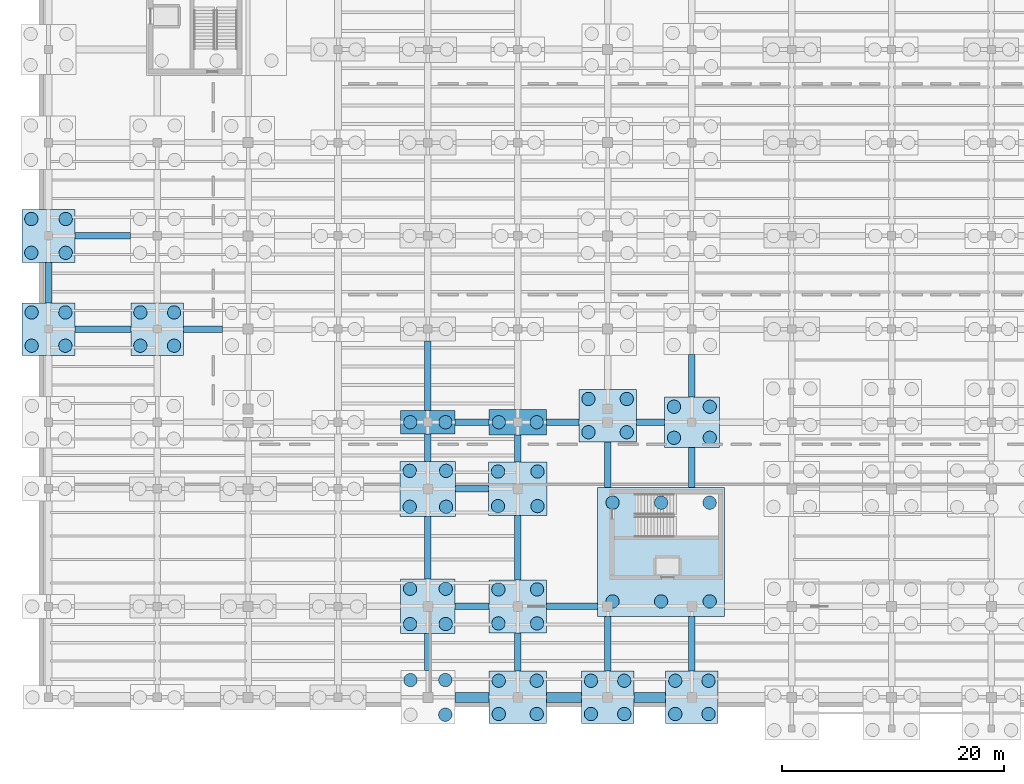
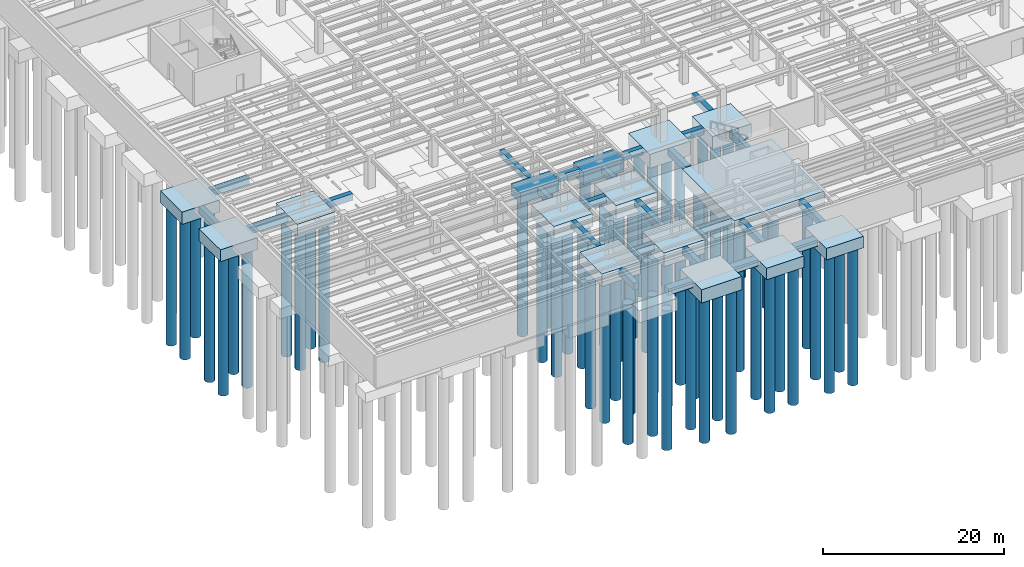
# One storey, part 2 of 49: 61 piles, 40 footings.
"""IFC4 building model written with IfcOpenShell, lengths in metres."""

import ifcopenshell
import ifcopenshell.guid

model = None  # the IFC model being written
_history = None  # IfcOwnerHistory: only IFC2X3 demands one
_inside = {}  # id of a spatial element -> (the spatial element, [elements in it])
_under = {}  # id of a project, library or spatial element -> (it, [spatial elements below it])
_declared = {}  # id of a project -> (the project, [libraries it declares])
_typed = {}  # id of a type object -> (the type object, [elements of that type])
_made_of = {}  # id of a material, layer set ... -> (it, [elements and type objects made of it])


def new_model(schema):
    """Start an empty IFC model of exactly this schema.

    Asked for "IFC4X3", IfcOpenShell would pick the latest addendum, in which some entities
    have other attributes; the version numbers below select the first issue.
    IFC2X3 requires an IfcOwnerHistory on every rooted entity: one is made here for all.
    """
    global model, _history
    if schema == "IFC4X3":
        model = ifcopenshell.file(schema_version=(4, 3, 0, 0))
    else:
        model = ifcopenshell.file(schema=schema)
    _inside.clear()
    _under.clear()
    _declared.clear()
    _typed.clear()
    _made_of.clear()
    _history = None
    if model.schema == "IFC2X3":
        org = make("IfcOrganization", Name="unknown")
        user = make(
            "IfcPersonAndOrganization",
            ThePerson=make("IfcPerson", FamilyName="unknown"),
            TheOrganization=org,
        )
        app = make(
            "IfcApplication",
            ApplicationDeveloper=org,
            Version="unknown",
            ApplicationFullName="unknown",
            ApplicationIdentifier="unknown",
        )
        _history = make(
            "IfcOwnerHistory",
            OwningUser=user,
            OwningApplication=app,
            ChangeAction="ADDED",
            CreationDate=0,
        )
    return model


def make(cls, **values):
    """One entity of the class cls with the attributes given. An attribute that is None is left unset."""
    return model.create_entity(
        cls, **{name: value for name, value in values.items() if value is not None}
    )


def rooted(cls, **values):
    """An entity with a GlobalId (a new one), such as an element, a storey or a relation."""
    return make(cls, GlobalId=ifcopenshell.guid.new(), OwnerHistory=_history, **values)


def si_unit(unit_type, name, prefix=None):
    """IfcSIUnit, for example si_unit("LENGTHUNIT", "METRE", prefix="MILLI")."""
    return make("IfcSIUnit", UnitType=unit_type, Prefix=prefix, Name=name)


def assignment(units):
    """IfcUnitAssignment: the units of a project."""
    return None if units is None else make("IfcUnitAssignment", Units=units)


def point(xyz):
    """IfcCartesianPoint."""
    return None if xyz is None else make("IfcCartesianPoint", Coordinates=xyz)


def direction(xyz):
    """IfcDirection."""
    return None if xyz is None else make("IfcDirection", DirectionRatios=xyz)


def frame(location, z_axis=None, x_axis=None):
    """IfcAxis2Placement3D, a coordinate frame: its origin and axes. An axis left out is left unset."""
    return make(
        "IfcAxis2Placement3D",
        Location=point(location),
        Axis=direction(z_axis),
        RefDirection=direction(x_axis),
    )


def frame_2d(location, x_axis=None):
    """IfcAxis2Placement2D, a coordinate frame in the plane: its origin and x axis."""
    return make(
        "IfcAxis2Placement2D", Location=point(location), RefDirection=direction(x_axis)
    )


def origin():
    """The frame at (0, 0, 0) with its axes left unset."""
    return frame((0.0, 0.0, 0.0))


def origin_2d():
    """The frame at (0, 0) in the plane with its x axis left unset."""
    return frame_2d((0.0, 0.0))


def place(relative_to, where):
    """IfcLocalPlacement: puts the frame where relative to a parent placement (None: the world)."""
    return make(
        "IfcLocalPlacement", PlacementRelTo=relative_to, RelativePlacement=where
    )


def context(
    kind, dimensions, precision=None, world=None, true_north=None, identifier=None
):
    """IfcGeometricRepresentationContext, for example the 3D "Model" context."""
    return make(
        "IfcGeometricRepresentationContext",
        ContextIdentifier=identifier,
        ContextType=kind,
        CoordinateSpaceDimension=dimensions,
        Precision=precision,
        WorldCoordinateSystem=world,
        TrueNorth=true_north,
    )


def subcontext(parent, identifier, kind, view, scale=None):
    """IfcGeometricRepresentationSubContext, for example "Body" below "Model"."""
    return make(
        "IfcGeometricRepresentationSubContext",
        ContextIdentifier=identifier,
        ContextType=kind,
        ParentContext=parent,
        TargetScale=scale,
        TargetView=view,
    )


def project(units=None, contexts=None):
    """IfcProject with its units and contexts."""
    return rooted(
        "IfcProject",
        Name="project",
        RepresentationContexts=contexts,
        UnitsInContext=assignment(units),
    )


def spatial(cls, under=None, at=None, **own):
    """A site, building, storey or space (cls), placed at a placement, below another one or the project."""
    s = rooted(cls, ObjectPlacement=at, **own)
    if under is not None:
        _under.setdefault(under.id(), (under, []))[1].append(s)
    return s


def profile(cls, at=None, kind="AREA", **sizes):
    """A parametric profile (cls). Its sizes go by their IFC names, for example OverallWidth=200.0."""
    return make(cls, ProfileType=kind, Position=at, **sizes)


def rectangle(**sizes):
    """IfcRectangleProfileDef."""
    return profile("IfcRectangleProfileDef", **sizes)


def circle(**sizes):
    """IfcCircleProfileDef."""
    return profile("IfcCircleProfileDef", **sizes)


def extrude(swept, where, along, depth):
    """IfcExtrudedAreaSolid: the profile swept, set in the frame where, extruded along a direction by depth."""
    return make(
        "IfcExtrudedAreaSolid",
        SweptArea=swept,
        Position=where,
        ExtrudedDirection=direction(along),
        Depth=depth,
    )


def shape(context_of_items, identifier, shape_type, items):
    """IfcShapeRepresentation: the items that make up one representation, for example the "Body"."""
    return make(
        "IfcShapeRepresentation",
        ContextOfItems=context_of_items,
        RepresentationIdentifier=identifier,
        RepresentationType=shape_type,
        Items=items,
    )


def material(Name=None, Category=None):
    """IfcMaterial."""
    return make("IfcMaterial", Name=Name, Category=Category)


def material_profile(
    of_material, cross_section, Name=None, Category=None, Priority=None
):
    """IfcMaterialProfile: a cross section and its material."""
    return make(
        "IfcMaterialProfile",
        Name=Name,
        Material=of_material,
        Profile=cross_section,
        Priority=Priority,
        Category=Category,
    )


def profile_set(profiles, Name=None, composite=None):
    """IfcMaterialProfileSet."""
    return make(
        "IfcMaterialProfileSet",
        Name=Name,
        MaterialProfiles=profiles,
        CompositeProfile=composite,
    )


def made_of(thing, what):
    """Note that an element or type object is made of a material, layer set ...; save() writes the relation."""
    if what is not None:
        _made_of.setdefault(what.id(), (what, []))[1].append(thing)
    return thing


def type_object(cls, material=None, **own):
    """A type object (cls), such as IfcWallType, which elements share."""
    return made_of(rooted(cls, **own), material)


def element(
    cls,
    number,
    at=None,
    inside=None,
    cuts=None,
    type_object=None,
    material=None,
    context=None,
    identifier="Body",
    shape_type=None,
    held_by="IfcProductDefinitionShape",
    body=None,
    shapes=None,
    **own,
):
    """One element of the class cls, such as IfcWall. Its Tag is "e" and its number.

    at: its placement. inside: the storey or other place that contains it. cuts: it is an
    opening in that element (IfcRelVoidsElement). A single representation is given by context,
    identifier, shape_type and body (its items); several are given by shapes. held_by: the class
    of the entity that holds the representations. save() writes the other relations.
    """
    e = rooted(cls, Tag="e%d" % number, ObjectPlacement=at, **own)
    if body is not None:
        shapes = [shape(context, identifier, shape_type, body)]
    if shapes is not None:
        e.Representation = make(held_by, Representations=shapes)
    if inside is not None:
        _inside.setdefault(inside.id(), (inside, []))[1].append(e)
    if cuts is not None:
        rooted(
            "IfcRelVoidsElement", RelatingBuildingElement=cuts, RelatedOpeningElement=e
        )
    if type_object is not None:
        _typed.setdefault(type_object.id(), (type_object, []))[1].append(e)
    return made_of(e, material)


def aggregate(whole, parts):
    """IfcRelAggregates: a whole, such as a stair, and the parts it consists of."""
    return rooted("IfcRelAggregates", RelatingObject=whole, RelatedObjects=parts)


def save(model, path):
    """Write the relations noted so far, then the file.

    IfcRelAggregates (storeys below a building ...), IfcRelContainedInSpatialStructure (elements
    in a storey), IfcRelDefinesByType, IfcRelAssociatesMaterial and IfcRelDeclares: one each for
    every whole, place, type object, material and project.
    """
    for whole, parts in _under.values():
        aggregate(whole, parts)
    for where, things in _inside.values():
        rooted(
            "IfcRelContainedInSpatialStructure",
            RelatedElements=things,
            RelatingStructure=where,
        )
    for kind, things in _typed.values():
        rooted("IfcRelDefinesByType", RelatedObjects=things, RelatingType=kind)
    for what, things in _made_of.values():
        rooted("IfcRelAssociatesMaterial", RelatedObjects=things, RelatingMaterial=what)
    for by, libraries in _declared.values():
        rooted("IfcRelDeclares", RelatingContext=by, RelatedDefinitions=libraries)
    model.write(path)


model = new_model("IFC4")

# Units and contexts
model_context = context("Model", 3, precision=1e-05, world=origin(), true_north=direction((0.0, 1.0)))
body_context = subcontext(model_context, "Body", "Model", "MODEL_VIEW")
ifc_project = project(units=[si_unit("LENGTHUNIT", "METRE"), si_unit("AREAUNIT", "SQUARE_METRE"), si_unit("VOLUMEUNIT", "CUBIC_METRE"), si_unit("PLANEANGLEUNIT", "RADIAN"), si_unit("MASSUNIT", "GRAM", prefix="KILO")], contexts=[model_context])

# Site, building, storey
site_placement = place(None, origin())
site = spatial("IfcSite", under=ifc_project, at=site_placement, CompositionType="ELEMENT")
building_placement = place(site_placement, origin())
building = spatial("IfcBuilding", under=site, at=building_placement, Name="Sollismere Congress Hotel", CompositionType="ELEMENT")
storey_placement = place(building_placement, frame((0.0, 0.0, -4.5)))
storey = spatial("IfcBuildingStorey", under=building, at=storey_placement, Name="B1", CompositionType="ELEMENT", Elevation=-4.5)

# Footings
ifc_material = material(Name="Concrete C40/50", Category="concrete")
footing_type_1 = type_object("IfcFootingType", Name="FT-GB600", PredefinedType="FOOTING_BEAM", material=ifc_material)
footing_1_placement = place(storey_placement, frame((38.179931640625, 8.199951171875, -0.89990234375), z_axis=(0.0, 0.0, 1.0), x_axis=(1.0, 0.0, 0.0)))
element("IfcFooting", 1, at=footing_1_placement, inside=storey, type_object=footing_type_1, Name="FTG-GB-012", PredefinedType="FOOTING_BEAM", context=body_context, shape_type="SweptSolid", body=[
    extrude(rectangle(XDim=3.030029296875, YDim=0.60009765625, at=origin_2d()), origin(), (0.0, 0.0, 1.0), 0.89990234375),
])
footing_2_placement = place(storey_placement, frame((47.202392578125, 8.199951171875, -0.89990234375), z_axis=(0.0, 0.0, 1.0), x_axis=(1.0, 0.0, 0.0)))
element("IfcFooting", 2, at=footing_2_placement, inside=storey, type_object=footing_type_1, Name="FTG-GB-013", PredefinedType="FOOTING_BEAM", context=body_context, shape_type="SweptSolid", body=[
    extrude(rectangle(XDim=4.594970703125, YDim=0.60009765625, at=origin_2d()), origin(), (0.0, 0.0, 1.0), 0.89990234375),
])
footing_3_placement = place(storey_placement, frame((38.179931640625, 18.800048828125, -0.89990234375), z_axis=(0.0, 0.0, 1.0), x_axis=(1.0, 0.0, 0.0)))
element("IfcFooting", 3, at=footing_3_placement, inside=storey, type_object=footing_type_1, Name="FTG-GB-027", PredefinedType="FOOTING_BEAM", context=body_context, shape_type="SweptSolid", body=[
    extrude(rectangle(XDim=2.9599609375, YDim=0.60009765625, at=origin_2d()), origin(), (0.0, 0.0, 1.0), 0.89990234375),
])
footing_4_placement = place(storey_placement, frame((38.18994140625, 24.800048828125, -0.89990234375), z_axis=(0.0, 0.0, 1.0), x_axis=(1.0, 0.0, 0.0)))
element("IfcFooting", 4, at=footing_4_placement, inside=storey, type_object=footing_type_1, Name="FTG-GB-036", PredefinedType="FOOTING_BEAM", context=body_context, shape_type="SweptSolid", body=[
    extrude(rectangle(XDim=3.080078125, YDim=0.60009765625, at=origin_2d()), origin(), (0.0, 0.0, 1.0), 0.89990234375),
])
footing_5_placement = place(storey_placement, frame((46.340087890625, 24.800048828125, -0.89990234375), z_axis=(0.0, 0.0, 1.0), x_axis=(1.0, 0.0, 0.0)))
element("IfcFooting", 5, at=footing_5_placement, inside=storey, type_object=footing_type_1, Name="FTG-GB-037", PredefinedType="FOOTING_BEAM", context=body_context, shape_type="SweptSolid", body=[
    extrude(rectangle(XDim=2.93994140625, YDim=0.60009765625, at=origin_2d()), origin(), (0.0, 0.0, 1.0), 0.89990234375),
])
footing_6_placement = place(storey_placement, frame((54.260009765625, 24.800048828125, -0.89990234375), z_axis=(0.0, 0.0, 1.0), x_axis=(1.0, 0.0, 0.0)))
element("IfcFooting", 6, at=footing_6_placement, inside=storey, type_object=footing_type_1, Name="FTG-GB-038", PredefinedType="FOOTING_BEAM", context=body_context, shape_type="SweptSolid", body=[
    extrude(rectangle(XDim=2.5400390625, YDim=0.60009765625, at=origin_2d()), origin(), (0.0, 0.0, 1.0), 0.89990234375),
])
footing_7_placement = place(storey_placement, frame((4.89990234375, 33.199951171875, -0.89990234375), z_axis=(0.0, 0.0, 1.0), x_axis=(1.0, 0.0, 0.0)))
element("IfcFooting", 7, at=footing_7_placement, inside=storey, type_object=footing_type_1, Name="FTG-GB-049", PredefinedType="FOOTING_BEAM", context=body_context, shape_type="SweptSolid", body=[
    extrude(rectangle(XDim=5.0400390625, YDim=0.60009765625, at=origin_2d()), origin(), (0.0, 0.0, 1.0), 0.89990234375),
])
footing_8_placement = place(storey_placement, frame((13.929931640625, 33.199951171875, -0.89990234375), z_axis=(0.0, 0.0, 1.0), x_axis=(1.0, 0.0, 0.0)))
element("IfcFooting", 8, at=footing_8_placement, inside=storey, type_object=footing_type_1, Name="FTG-GB-050", PredefinedType="FOOTING_BEAM", context=body_context, shape_type="SweptSolid", body=[
    extrude(rectangle(XDim=3.5, YDim=0.60009765625, at=origin_2d()), origin(), (0.0, 0.0, 1.0), 0.89990234375),
])
footing_9_placement = place(storey_placement, frame((4.89990234375, 41.60009765625, -0.89990234375), z_axis=(0.0, 0.0, 1.0), x_axis=(1.0, 0.0, 0.0)))
element("IfcFooting", 9, at=footing_9_placement, inside=storey, type_object=footing_type_1, Name="FTG-GB-066", PredefinedType="FOOTING_BEAM", context=body_context, shape_type="SweptSolid", body=[
    extrude(rectangle(XDim=4.97998046875, YDim=0.60009765625, at=origin_2d()), origin(), (0.0, 0.0, 1.0), 0.89990234375),
])
footing_10_placement = place(storey_placement, frame((0.0, 37.387451171875, -0.89990234375), z_axis=(0.0, 0.0, 1.0), x_axis=(0.0, 1.0, 0.0)))
element("IfcFooting", 10, at=footing_10_placement, inside=storey, type_object=footing_type_1, Name="FTG-GB-220", PredefinedType="FOOTING_BEAM", context=body_context, shape_type="SweptSolid", body=[
    extrude(rectangle(XDim=3.655029296875, YDim=0.60009765625, at=origin_2d()), origin(), (0.0, 0.0, 1.0), 0.89990234375),
])
footing_11_placement = place(storey_placement, frame((34.199951171875, 4.0849609375, -0.89990234375), z_axis=(0.0, 0.0, 1.0), x_axis=(0.0, 1.0, 0.0)))
element("IfcFooting", 11, at=footing_11_placement, inside=storey, type_object=footing_type_1, Name="FTG-GB-264", PredefinedType="FOOTING_BEAM", context=body_context, shape_type="SweptSolid", body=[
    extrude(rectangle(XDim=3.330078125, YDim=0.60009765625, at=origin_2d()), origin(), (0.0, 0.0, 1.0), 0.89990234375),
])
footing_12_placement = place(storey_placement, frame((34.199951171875, 13.485107421875, -0.89990234375), z_axis=(0.0, 0.0, 1.0), x_axis=(0.0, 1.0, 0.0)))
element("IfcFooting", 12, at=footing_12_placement, inside=storey, type_object=footing_type_1, Name="FTG-GB-265", PredefinedType="FOOTING_BEAM", context=body_context, shape_type="SweptSolid", body=[
    extrude(rectangle(XDim=5.669921875, YDim=0.60009765625, at=origin_2d()), origin(), (0.0, 0.0, 1.0), 0.89990234375),
])
footing_13_placement = place(storey_placement, frame((34.199951171875, 22.514892578125, -0.89990234375), z_axis=(0.0, 0.0, 1.0), x_axis=(0.0, 1.0, 0.0)))
element("IfcFooting", 13, at=footing_13_placement, inside=storey, type_object=footing_type_1, Name="FTG-GB-266", PredefinedType="FOOTING_BEAM", context=body_context, shape_type="SweptSolid", body=[
    extrude(rectangle(XDim=2.469970703125, YDim=0.60009765625, at=origin_2d()), origin(), (0.0, 0.0, 1.0), 0.89990234375),
])
footing_14_placement = place(storey_placement, frame((34.199951171875, 28.987548828125, -0.89990234375), z_axis=(0.0, 0.0, 1.0), x_axis=(0.0, 1.0, 0.0)))
element("IfcFooting", 14, at=footing_14_placement, inside=storey, type_object=footing_type_1, Name="FTG-GB-267", PredefinedType="FOOTING_BEAM", context=body_context, shape_type="SweptSolid", body=[
    extrude(rectangle(XDim=6.27490234375, YDim=0.60009765625, at=origin_2d()), origin(), (0.0, 0.0, 1.0), 0.89990234375),
])
footing_15_placement = place(storey_placement, frame((42.300048828125, 4.0849609375, -0.89990234375), z_axis=(0.0, 0.0, 1.0), x_axis=(0.0, 1.0, 0.0)))
element("IfcFooting", 15, at=footing_15_placement, inside=storey, type_object=footing_type_1, Name="FTG-GB-277", PredefinedType="FOOTING_BEAM", context=body_context, shape_type="SweptSolid", body=[
    extrude(rectangle(XDim=3.449951171875, YDim=0.60009765625, at=origin_2d()), origin(), (0.0, 0.0, 1.0), 0.89990234375),
])
footing_16_placement = place(storey_placement, frame((42.300048828125, 13.485107421875, -0.89990234375), z_axis=(0.0, 0.0, 1.0), x_axis=(0.0, 1.0, 0.0)))
element("IfcFooting", 16, at=footing_16_placement, inside=storey, type_object=footing_type_1, Name="FTG-GB-278", PredefinedType="FOOTING_BEAM", context=body_context, shape_type="SweptSolid", body=[
    extrude(rectangle(XDim=5.7900390625, YDim=0.60009765625, at=origin_2d()), origin(), (0.0, 0.0, 1.0), 0.89990234375),
])
footing_17_placement = place(storey_placement, frame((42.300048828125, 22.43505859375, -0.89990234375), z_axis=(0.0, 0.0, 1.0), x_axis=(0.0, 1.0, 0.0)))
element("IfcFooting", 17, at=footing_17_placement, inside=storey, type_object=footing_type_1, Name="FTG-GB-279", PredefinedType="FOOTING_BEAM", context=body_context, shape_type="SweptSolid", body=[
    extrude(rectangle(XDim=2.429931640625, YDim=0.60009765625, at=origin_2d()), origin(), (0.0, 0.0, 1.0), 0.89990234375),
])
footing_18_placement = place(storey_placement, frame((50.39990234375, 4.830078125, -0.89990234375), z_axis=(0.0, 0.0, 1.0), x_axis=(0.0, 1.0, 0.0)))
element("IfcFooting", 18, at=footing_18_placement, inside=storey, type_object=footing_type_1, Name="FTG-GB-290", PredefinedType="FOOTING_BEAM", context=body_context, shape_type="SweptSolid", body=[
    extrude(rectangle(XDim=4.93994140625, YDim=0.60009765625, at=origin_2d()), origin(), (0.0, 0.0, 1.0), 0.89990234375),
])
footing_19_placement = place(storey_placement, frame((50.39990234375, 20.969970703125, -0.89990234375), z_axis=(0.0, 0.0, 1.0), x_axis=(0.0, 1.0, 0.0)))
element("IfcFooting", 19, at=footing_19_placement, inside=storey, type_object=footing_type_1, Name="FTG-GB-291", PredefinedType="FOOTING_BEAM", context=body_context, shape_type="SweptSolid", body=[
    extrude(rectangle(XDim=4.139892578125, YDim=0.60009765625, at=origin_2d()), origin(), (0.0, 0.0, 1.0), 0.89990234375),
])
footing_20_placement = place(storey_placement, frame((58.0, 4.830078125, -0.89990234375), z_axis=(0.0, 0.0, 1.0), x_axis=(0.0, 1.0, 0.0)))
element("IfcFooting", 20, at=footing_20_placement, inside=storey, type_object=footing_type_1, Name="FTG-GB-302", PredefinedType="FOOTING_BEAM", context=body_context, shape_type="SweptSolid", body=[
    extrude(rectangle(XDim=4.93994140625, YDim=0.60009765625, at=origin_2d()), origin(), (0.0, 0.0, 1.0), 0.89990234375),
])
footing_21_placement = place(storey_placement, frame((58.0, 20.719970703125, -0.89990234375), z_axis=(0.0, 0.0, 1.0), x_axis=(0.0, 1.0, 0.0)))
element("IfcFooting", 21, at=footing_21_placement, inside=storey, type_object=footing_type_1, Name="FTG-GB-303", PredefinedType="FOOTING_BEAM", context=body_context, shape_type="SweptSolid", body=[
    extrude(rectangle(XDim=3.639892578125, YDim=0.60009765625, at=origin_2d()), origin(), (0.0, 0.0, 1.0), 0.89990234375),
])
footing_22_placement = place(storey_placement, frame((58.0, 28.987548828125, -0.89990234375), z_axis=(0.0, 0.0, 1.0), x_axis=(0.0, 1.0, 0.0)))
element("IfcFooting", 22, at=footing_22_placement, inside=storey, type_object=footing_type_1, Name="FTG-GB-304", PredefinedType="FOOTING_BEAM", context=body_context, shape_type="SweptSolid", body=[
    extrude(rectangle(XDim=3.85498046875, YDim=0.60009765625, at=origin_2d()), origin(), (0.0, 0.0, 1.0), 0.89990234375),
])
footing_type_2 = type_object("IfcFootingType", Name="FT-MAT-K6", PredefinedType="PILE_CAP", material=ifc_material)
footing_23_placement = place(storey_placement, frame((55.22509765625, 13.10009765625, -1.7998046875), z_axis=(0.0, 0.0, 1.0), x_axis=(1.0, 0.0, 0.0)))
element("IfcFooting", 23, at=footing_23_placement, inside=storey, type_object=footing_type_2, Name="Core pile cap mat PCM-K6", PredefinedType="PILE_CAP", context=body_context, shape_type="SweptSolid", body=[
    extrude(rectangle(XDim=11.449951171875, YDim=11.60009765625, at=origin_2d()), origin(), (0.0, 0.0, 1.0), 1.800048828125),
])
footing_type_3 = type_object("IfcFootingType", Name="FT-PC2-06", PredefinedType="PILE_CAP", material=ifc_material)
footing_24_placement = place(storey_placement, frame((34.199951171875, 24.800048828125, -1.5), z_axis=(0.0, 0.0, 1.0), x_axis=(1.0, 0.0, 0.0)))
element("IfcFooting", 24, at=footing_24_placement, inside=storey, type_object=footing_type_3, Name="Reinforced concrete pile cap PC-056", PredefinedType="PILE_CAP", context=body_context, shape_type="SweptSolid", body=[
    extrude(rectangle(XDim=4.89990234375, YDim=2.10009765625, at=origin_2d()), origin(), (0.0, 0.0, 1.0), 1.5),
])
footing_type_4 = type_object("IfcFootingType", Name="FT-PC2-10", PredefinedType="PILE_CAP", material=ifc_material)
footing_25_placement = place(storey_placement, frame((42.300048828125, 24.800048828125, -1.66015625), z_axis=(0.0, 0.0, 1.0), x_axis=(1.0, 0.0, 0.0)))
element("IfcFooting", 25, at=footing_25_placement, inside=storey, type_object=footing_type_4, Name="Reinforced concrete pile cap PC-070", PredefinedType="PILE_CAP", context=body_context, shape_type="SweptSolid", body=[
    extrude(rectangle(XDim=5.139892578125, YDim=2.300048828125, at=origin_2d()), origin(), (0.0, 0.0, 1.0), 1.659912109375),
])
footing_type_5 = type_object("IfcFootingType", Name="FT-PC4-05", PredefinedType="PILE_CAP", material=ifc_material)
for number, where, z_axis, x_axis, name in (
    (26, (0.0, 33.199951171875, -1.60986328125), (0.0, 0.0, 1.0), (1.0, 0.0, 0.0), "Reinforced concrete pile cap PC-005"),
    (27, (9.800048828125, 33.199951171875, -1.60986328125), (0.0, 0.0, 1.0), (1.0, 0.0, 0.0), "Reinforced concrete pile cap PC-019"),
):
    element("IfcFooting", number, at=place(storey_placement, frame(where, z_axis=z_axis, x_axis=x_axis)), inside=storey, type_object=footing_type_5, Name=name, PredefinedType="PILE_CAP", context=body_context, shape_type="SweptSolid", body=[
        extrude(rectangle(XDim=4.760009765625, YDim=4.719970703125, at=origin_2d()), origin(), (0.0, 0.0, 1.0), 1.610107421875),
    ])
footing_type_6 = type_object("IfcFootingType", Name="FT-PC4-06", PredefinedType="PILE_CAP", material=ifc_material)
footing_26_placement = place(storey_placement, frame((0.0, 41.60009765625, -1.64990234375), z_axis=(0.0, 0.0, 1.0), x_axis=(1.0, 0.0, 0.0)))
element("IfcFooting", 28, at=footing_26_placement, inside=storey, type_object=footing_type_6, Name="Reinforced concrete pile cap PC-006", PredefinedType="PILE_CAP", context=body_context, shape_type="SweptSolid", body=[
    extrude(rectangle(XDim=4.820068359375, YDim=4.77001953125, at=origin_2d()), origin(), (0.0, 0.0, 1.0), 1.64990234375),
])
footing_type_7 = type_object("IfcFootingType", Name="FT-PC4-08", PredefinedType="PILE_CAP", material=ifc_material)
footing_27_placement = place(storey_placement, frame((58.0, 24.800048828125, -1.72998046875), z_axis=(0.0, 0.0, 1.0), x_axis=(1.0, 0.0, 0.0)))
element("IfcFooting", 29, at=footing_27_placement, inside=storey, type_object=footing_type_7, Name="Reinforced concrete pile cap PC-092", PredefinedType="PILE_CAP", context=body_context, shape_type="SweptSolid", body=[
    extrude(rectangle(XDim=4.93994140625, YDim=4.52001953125, at=origin_2d()), origin(), (0.0, 0.0, 1.0), 1.72998046875),
])
footing_type_8 = type_object("IfcFootingType", Name="FT-PC4-12", PredefinedType="PILE_CAP", material=ifc_material)
footing_28_placement = place(storey_placement, frame((50.39990234375, 25.39990234375, -1.89013671875), z_axis=(0.0, 0.0, 1.0), x_axis=(1.0, 0.0, 0.0)))
element("IfcFooting", 30, at=footing_28_placement, inside=storey, type_object=footing_type_8, Name="Reinforced concrete pile cap PC-082", PredefinedType="PILE_CAP", context=body_context, shape_type="SweptSolid", body=[
    extrude(rectangle(XDim=5.179931640625, YDim=4.719970703125, at=origin_2d()), origin(), (0.0, 0.0, 1.0), 1.889892578125),
])
footing_type_9 = type_object("IfcFootingType", Name="FT-PC4H-01", PredefinedType="PILE_CAP", material=ifc_material)
for number, where, z_axis, x_axis, name in (
    (31, (50.39990234375, 0.0, -1.5498046875), (0.0, 0.0, 1.0), (1.0, 0.0, 0.0), "Reinforced concrete pile cap PC-081"),
    (32, (58.0, 0.0, -1.5498046875), (0.0, 0.0, 1.0), (1.0, 0.0, 0.0), "Reinforced concrete pile cap PC-091"),
):
    element("IfcFooting", number, at=place(storey_placement, frame(where, z_axis=z_axis, x_axis=x_axis)), inside=storey, type_object=footing_type_9, Name=name, PredefinedType="PILE_CAP", context=body_context, shape_type="SweptSolid", body=[
        extrude(rectangle(XDim=4.719970703125, YDim=4.719970703125, at=origin_2d()), origin(), (0.0, 0.0, 1.0), 1.550048828125),
    ])
footing_type_10 = type_object("IfcFootingType", Name="FT-PC4H-04", PredefinedType="PILE_CAP", material=ifc_material)
footing_29_placement = place(storey_placement, frame((34.199951171875, 8.199951171875, -1.669921875), z_axis=(0.0, 0.0, 1.0), x_axis=(1.0, 0.0, 0.0)))
element("IfcFooting", 33, at=footing_29_placement, inside=storey, type_object=footing_type_10, Name="Reinforced concrete pile cap PC-054", PredefinedType="PILE_CAP", context=body_context, shape_type="SweptSolid", body=[
    extrude(rectangle(XDim=4.929931640625, YDim=4.89990234375, at=origin_2d()), origin(), (0.0, 0.0, 1.0), 1.669921875),
])
footing_type_11 = type_object("IfcFootingType", Name="FT-PC4H-05", PredefinedType="PILE_CAP", material=ifc_material)
footing_30_placement = place(storey_placement, frame((34.199951171875, 18.800048828125, -1.7099609375), z_axis=(0.0, 0.0, 1.0), x_axis=(1.0, 0.0, 0.0)))
element("IfcFooting", 34, at=footing_30_placement, inside=storey, type_object=footing_type_11, Name="Reinforced concrete pile cap PC-055", PredefinedType="PILE_CAP", context=body_context, shape_type="SweptSolid", body=[
    extrude(rectangle(XDim=5.0, YDim=4.9599609375, at=origin_2d()), origin(), (0.0, 0.0, 1.0), 1.7099609375),
])
footing_type_12 = type_object("IfcFootingType", Name="FT-PC4H-07", PredefinedType="PILE_CAP", material=ifc_material)
footing_31_placement = place(storey_placement, frame((42.300048828125, 0.0, -1.7900390625), z_axis=(0.0, 0.0, 1.0), x_axis=(1.0, 0.0, 0.0)))
element("IfcFooting", 35, at=footing_31_placement, inside=storey, type_object=footing_type_12, Name="Reinforced concrete pile cap PC-067", PredefinedType="PILE_CAP", context=body_context, shape_type="SweptSolid", body=[
    extrude(rectangle(XDim=5.139892578125, YDim=4.719970703125, at=origin_2d()), origin(), (0.0, 0.0, 1.0), 1.7900390625),
])
footing_type_13 = type_object("IfcFootingType", Name="FT-PC4H-08", PredefinedType="PILE_CAP", material=ifc_material)
footing_32_placement = place(storey_placement, frame((42.300048828125, 8.199951171875, -1.830078125), z_axis=(0.0, 0.0, 1.0), x_axis=(1.0, 0.0, 0.0)))
element("IfcFooting", 36, at=footing_32_placement, inside=storey, type_object=footing_type_13, Name="Reinforced concrete pile cap PC-068", PredefinedType="PILE_CAP", context=body_context, shape_type="SweptSolid", body=[
    extrude(rectangle(XDim=5.2099609375, YDim=4.780029296875, at=origin_2d()), origin(), (0.0, 0.0, 1.0), 1.830078125),
])
footing_type_14 = type_object("IfcFootingType", Name="FT-PC4H-09", PredefinedType="PILE_CAP", material=ifc_material)
footing_33_placement = place(storey_placement, frame((42.300048828125, 18.800048828125, -1.8701171875), z_axis=(0.0, 0.0, 1.0), x_axis=(1.0, 0.0, 0.0)))
element("IfcFooting", 37, at=footing_33_placement, inside=storey, type_object=footing_type_14, Name="Reinforced concrete pile cap PC-069", PredefinedType="PILE_CAP", context=body_context, shape_type="SweptSolid", body=[
    extrude(rectangle(XDim=5.280029296875, YDim=4.840087890625, at=origin_2d()), origin(), (0.0, 0.0, 1.0), 1.8701171875),
])
footing_type_15 = type_object("IfcFootingType", Name="FT-SF900", PredefinedType="STRIP_FOOTING", material=ifc_material)
footing_34_placement = place(storey_placement, frame((38.179931640625, 0.0, -0.85009765625), z_axis=(0.0, 0.0, 1.0), x_axis=(1.0, 0.0, 0.0)))
element("IfcFooting", 38, at=footing_34_placement, inside=storey, type_object=footing_type_15, Name="FTG-SF-005", PredefinedType="STRIP_FOOTING", context=body_context, shape_type="SweptSolid", body=[
    extrude(rectangle(XDim=3.10009765625, YDim=0.89990234375, at=origin_2d()), origin(), (0.0, 0.0, 1.0), 0.85009765625),
])
footing_35_placement = place(storey_placement, frame((46.455078125, 0.0, -0.85009765625), z_axis=(0.0, 0.0, 1.0), x_axis=(1.0, 0.0, 0.0)))
element("IfcFooting", 39, at=footing_35_placement, inside=storey, type_object=footing_type_15, Name="FTG-SF-006", PredefinedType="STRIP_FOOTING", context=body_context, shape_type="SweptSolid", body=[
    extrude(rectangle(XDim=3.169921875, YDim=0.89990234375, at=origin_2d()), origin(), (0.0, 0.0, 1.0), 0.85009765625),
])
footing_36_placement = place(storey_placement, frame((54.199951171875, 0.0, -0.85009765625), z_axis=(0.0, 0.0, 1.0), x_axis=(1.0, 0.0, 0.0)))
element("IfcFooting", 40, at=footing_36_placement, inside=storey, type_object=footing_type_15, Name="FTG-SF-007", PredefinedType="STRIP_FOOTING", context=body_context, shape_type="SweptSolid", body=[
    extrude(rectangle(XDim=2.8798828125, YDim=0.89990234375, at=origin_2d()), origin(), (0.0, 0.0, 1.0), 0.85009765625),
])

# Piles
ifc_material_profile = material_profile(ifc_material, circle(Radius=0.60009765625, at=origin_2d()), Name="CAISSON1200")
ifc_profile_set = profile_set([ifc_material_profile], Name="Concrete C40/50")
pile_type = type_object("IfcPileType", Name="PL-CS1200", PredefinedType="BORED", material=ifc_profile_set)
for number, where, z_axis, x_axis, name in (
    (41, (-1.52001953125, 31.699951171875, -1.510009765625), (0.0, 0.0, -1.0), (1.0, 0.0, 0.0), "Bored rock-socketed caisson PL-011"),
    (42, (1.52001953125, 31.699951171875, -1.510009765625), (0.0, 0.0, -1.0), (1.0, 0.0, 0.0), "Bored rock-socketed caisson PL-012"),
    (43, (-1.52001953125, 34.699951171875, -1.510009765625), (0.0, 0.0, -1.0), (1.0, 0.0, 0.0), "Bored rock-socketed caisson PL-013"),
    (44, (1.52001953125, 34.699951171875, -1.510009765625), (0.0, 0.0, -1.0), (1.0, 0.0, 0.0), "Bored rock-socketed caisson PL-014"),
):
    element("IfcPile", number, at=place(storey_placement, frame(where, z_axis=z_axis, x_axis=x_axis)), inside=storey, type_object=pile_type, Name=name, PredefinedType="BORED", context=body_context, shape_type="SweptSolid", body=[
        extrude(circle(Radius=0.60009765625, at=origin_2d()), origin(), (0.0, 0.0, 1.0), 18.60009765625),
    ])
for number, where, z_axis, x_axis, name in (
    (45, (-1.550048828125, 40.074951171875, -1.550048828125), (0.0, 0.0, -1.0), (1.0, 0.0, 0.0), "Bored rock-socketed caisson PL-015"),
    (46, (1.550048828125, 40.074951171875, -1.550048828125), (0.0, 0.0, -1.0), (1.0, 0.0, 0.0), "Bored rock-socketed caisson PL-016"),
    (47, (-1.550048828125, 43.125, -1.550048828125), (0.0, 0.0, -1.0), (1.0, 0.0, 0.0), "Bored rock-socketed caisson PL-017"),
    (48, (1.550048828125, 43.125, -1.550048828125), (0.0, 0.0, -1.0), (1.0, 0.0, 0.0), "Bored rock-socketed caisson PL-018"),
):
    element("IfcPile", number, at=place(storey_placement, frame(where, z_axis=z_axis, x_axis=x_axis)), inside=storey, type_object=pile_type, Name=name, PredefinedType="BORED", context=body_context, shape_type="SweptSolid", body=[
        extrude(circle(Radius=0.60009765625, at=origin_2d()), origin(), (0.0, 0.0, 1.0), 18.75),
    ])
for number, where, z_axis, x_axis, name in (
    (49, (8.280029296875, 31.699951171875, -1.510009765625), (0.0, 0.0, -1.0), (1.0, 0.0, 0.0), "Bored rock-socketed caisson PL-059"),
    (50, (11.320068359375, 31.699951171875, -1.510009765625), (0.0, 0.0, -1.0), (1.0, 0.0, 0.0), "Bored rock-socketed caisson PL-060"),
    (51, (8.280029296875, 34.699951171875, -1.510009765625), (0.0, 0.0, -1.0), (1.0, 0.0, 0.0), "Bored rock-socketed caisson PL-061"),
    (52, (11.320068359375, 34.699951171875, -1.510009765625), (0.0, 0.0, -1.0), (1.0, 0.0, 0.0), "Bored rock-socketed caisson PL-062"),
):
    element("IfcPile", number, at=place(storey_placement, frame(where, z_axis=z_axis, x_axis=x_axis)), inside=storey, type_object=pile_type, Name=name, PredefinedType="BORED", context=body_context, shape_type="SweptSolid", body=[
        extrude(circle(Radius=0.60009765625, at=origin_2d()), origin(), (0.0, 0.0, 1.0), 18.60009765625),
    ])
for number, where, z_axis, x_axis, name in (
    (53, (35.77001953125, -1.56005859375, -1.530029296875), (0.0, 0.0, -1.0), (1.0, 0.0, 0.0), "Bored rock-socketed caisson PL-156"),
    (54, (32.6298828125, 1.56005859375, -1.530029296875), (0.0, 0.0, -1.0), (1.0, 0.0, 0.0), "Bored rock-socketed caisson PL-157"),
    (55, (35.77001953125, 1.56005859375, -1.530029296875), (0.0, 0.0, -1.0), (1.0, 0.0, 0.0), "Bored rock-socketed caisson PL-158"),
):
    element("IfcPile", number, at=place(storey_placement, frame(where, z_axis=z_axis, x_axis=x_axis)), inside=storey, type_object=pile_type, Name=name, PredefinedType="BORED", context=body_context, shape_type="SweptSolid", body=[
        extrude(circle(Radius=0.60009765625, at=origin_2d()), origin(), (0.0, 0.0, 1.0), 18.800048828125),
    ])
for number, where, z_axis, x_axis, name in (
    (56, (32.594970703125, 6.610107421875, -1.570068359375), (0.0, 0.0, -1.0), (1.0, 0.0, 0.0), "Bored rock-socketed caisson PL-159"),
    (57, (35.804931640625, 6.610107421875, -1.570068359375), (0.0, 0.0, -1.0), (1.0, 0.0, 0.0), "Bored rock-socketed caisson PL-160"),
    (58, (32.594970703125, 9.7900390625, -1.570068359375), (0.0, 0.0, -1.0), (1.0, 0.0, 0.0), "Bored rock-socketed caisson PL-161"),
    (59, (35.804931640625, 9.7900390625, -1.570068359375), (0.0, 0.0, -1.0), (1.0, 0.0, 0.0), "Bored rock-socketed caisson PL-162"),
):
    element("IfcPile", number, at=place(storey_placement, frame(where, z_axis=z_axis, x_axis=x_axis)), inside=storey, type_object=pile_type, Name=name, PredefinedType="BORED", context=body_context, shape_type="SweptSolid", body=[
        extrude(circle(Radius=0.60009765625, at=origin_2d()), origin(), (0.0, 0.0, 1.0), 18.949951171875),
    ])
for number, where, z_axis, x_axis, name in (
    (60, (32.56005859375, 17.179931640625, -1.610107421875), (0.0, 0.0, -1.0), (1.0, 0.0, 0.0), "Bored rock-socketed caisson PL-163"),
    (61, (35.840087890625, 17.179931640625, -1.610107421875), (0.0, 0.0, -1.0), (1.0, 0.0, 0.0), "Bored rock-socketed caisson PL-164"),
    (62, (32.56005859375, 20.419921875, -1.610107421875), (0.0, 0.0, -1.0), (1.0, 0.0, 0.0), "Bored rock-socketed caisson PL-165"),
    (63, (35.840087890625, 20.419921875, -1.610107421875), (0.0, 0.0, -1.0), (1.0, 0.0, 0.0), "Bored rock-socketed caisson PL-166"),
):
    element("IfcPile", number, at=place(storey_placement, frame(where, z_axis=z_axis, x_axis=x_axis)), inside=storey, type_object=pile_type, Name=name, PredefinedType="BORED", context=body_context, shape_type="SweptSolid", body=[
        extrude(circle(Radius=0.60009765625, at=origin_2d()), origin(), (0.0, 0.0, 1.0), 19.10009765625),
    ])
for number, where, z_axis, x_axis, name in (
    (64, (32.610107421875, 24.800048828125, -1.39990234375), (0.0, 0.0, -1.0), (1.0, 0.0, 0.0), "Bored rock-socketed caisson PL-167"),
    (65, (35.7900390625, 24.800048828125, -1.39990234375), (0.0, 0.0, -1.0), (1.0, 0.0, 0.0), "Bored rock-socketed caisson PL-168"),
):
    element("IfcPile", number, at=place(storey_placement, frame(where, z_axis=z_axis, x_axis=x_axis)), inside=storey, type_object=pile_type, Name=name, PredefinedType="BORED", context=body_context, shape_type="SweptSolid", body=[
        extrude(circle(Radius=0.60009765625, at=origin_2d()), origin(), (0.0, 0.0, 1.0), 18.5),
    ])
for number, where, z_axis, x_axis, name in (
    (66, (40.590087890625, -1.5, -1.68994140625), (0.0, 0.0, -1.0), (1.0, 0.0, 0.0), "Bored rock-socketed caisson PL-187"),
    (67, (44.010009765625, -1.5, -1.68994140625), (0.0, 0.0, -1.0), (1.0, 0.0, 0.0), "Bored rock-socketed caisson PL-188"),
    (68, (40.590087890625, 1.5, -1.68994140625), (0.0, 0.0, -1.0), (1.0, 0.0, 0.0), "Bored rock-socketed caisson PL-189"),
    (69, (44.010009765625, 1.5, -1.68994140625), (0.0, 0.0, -1.0), (1.0, 0.0, 0.0), "Bored rock-socketed caisson PL-190"),
):
    element("IfcPile", number, at=place(storey_placement, frame(where, z_axis=z_axis, x_axis=x_axis)), inside=storey, type_object=pile_type, Name=name, PredefinedType="BORED", context=body_context, shape_type="SweptSolid", body=[
        extrude(circle(Radius=0.60009765625, at=origin_2d()), origin(), (0.0, 0.0, 1.0), 19.39990234375),
    ])
for number, where, z_axis, x_axis, name in (
    (70, (40.554931640625, 6.669921875, -1.72998046875), (0.0, 0.0, -1.0), (1.0, 0.0, 0.0), "Bored rock-socketed caisson PL-191"),
    (71, (44.044921875, 6.669921875, -1.72998046875), (0.0, 0.0, -1.0), (1.0, 0.0, 0.0), "Bored rock-socketed caisson PL-192"),
    (72, (40.554931640625, 9.72998046875, -1.72998046875), (0.0, 0.0, -1.0), (1.0, 0.0, 0.0), "Bored rock-socketed caisson PL-193"),
    (73, (44.044921875, 9.72998046875, -1.72998046875), (0.0, 0.0, -1.0), (1.0, 0.0, 0.0), "Bored rock-socketed caisson PL-194"),
):
    element("IfcPile", number, at=place(storey_placement, frame(where, z_axis=z_axis, x_axis=x_axis)), inside=storey, type_object=pile_type, Name=name, PredefinedType="BORED", context=body_context, shape_type="SweptSolid", body=[
        extrude(circle(Radius=0.60009765625, at=origin_2d()), origin(), (0.0, 0.0, 1.0), 19.550048828125),
    ])
for number, where, z_axis, x_axis, name in (
    (74, (40.52001953125, 17.239990234375, -1.77001953125), (0.0, 0.0, -1.0), (1.0, 0.0, 0.0), "Bored rock-socketed caisson PL-195"),
    (75, (44.080078125, 17.239990234375, -1.77001953125), (0.0, 0.0, -1.0), (1.0, 0.0, 0.0), "Bored rock-socketed caisson PL-196"),
    (76, (40.52001953125, 20.360107421875, -1.77001953125), (0.0, 0.0, -1.0), (1.0, 0.0, 0.0), "Bored rock-socketed caisson PL-197"),
    (77, (44.080078125, 20.360107421875, -1.77001953125), (0.0, 0.0, -1.0), (1.0, 0.0, 0.0), "Bored rock-socketed caisson PL-198"),
):
    element("IfcPile", number, at=place(storey_placement, frame(where, z_axis=z_axis, x_axis=x_axis)), inside=storey, type_object=pile_type, Name=name, PredefinedType="BORED", context=body_context, shape_type="SweptSolid", body=[
        extrude(circle(Radius=0.60009765625, at=origin_2d()), origin(), (0.0, 0.0, 1.0), 19.699951171875),
    ])
for number, where, z_axis, x_axis, name in (
    (78, (40.590087890625, 24.800048828125, -1.56005859375), (0.0, 0.0, -1.0), (1.0, 0.0, 0.0), "Bored rock-socketed caisson PL-199"),
    (79, (44.010009765625, 24.800048828125, -1.56005859375), (0.0, 0.0, -1.0), (1.0, 0.0, 0.0), "Bored rock-socketed caisson PL-200"),
):
    element("IfcPile", number, at=place(storey_placement, frame(where, z_axis=z_axis, x_axis=x_axis)), inside=storey, type_object=pile_type, Name=name, PredefinedType="BORED", context=body_context, shape_type="SweptSolid", body=[
        extrude(circle(Radius=0.60009765625, at=origin_2d()), origin(), (0.0, 0.0, 1.0), 19.300048828125),
    ])
for number, where, z_axis, x_axis, name in (
    (80, (48.89990234375, -1.5, -1.449951171875), (0.0, 0.0, -1.0), (1.0, 0.0, 0.0), "Bored rock-socketed caisson PL-225"),
    (81, (51.89990234375, -1.5, -1.449951171875), (0.0, 0.0, -1.0), (1.0, 0.0, 0.0), "Bored rock-socketed caisson PL-226"),
    (82, (48.89990234375, 1.5, -1.449951171875), (0.0, 0.0, -1.0), (1.0, 0.0, 0.0), "Bored rock-socketed caisson PL-227"),
    (83, (51.89990234375, 1.5, -1.449951171875), (0.0, 0.0, -1.0), (1.0, 0.0, 0.0), "Bored rock-socketed caisson PL-228"),
):
    element("IfcPile", number, at=place(storey_placement, frame(where, z_axis=z_axis, x_axis=x_axis)), inside=storey, type_object=pile_type, Name=name, PredefinedType="BORED", context=body_context, shape_type="SweptSolid", body=[
        extrude(circle(Radius=0.60009765625, at=origin_2d()), origin(), (0.0, 0.0, 1.0), 18.5),
    ])
for number, where, z_axis, x_axis, name in (
    (84, (48.669921875, 23.89990234375, -1.7900390625), (0.0, 0.0, -1.0), (1.0, 0.0, 0.0), "Bored rock-socketed caisson PL-229"),
    (85, (52.1298828125, 23.89990234375, -1.7900390625), (0.0, 0.0, -1.0), (1.0, 0.0, 0.0), "Bored rock-socketed caisson PL-230"),
    (86, (48.669921875, 26.89990234375, -1.7900390625), (0.0, 0.0, -1.0), (1.0, 0.0, 0.0), "Bored rock-socketed caisson PL-231"),
    (87, (52.1298828125, 26.89990234375, -1.7900390625), (0.0, 0.0, -1.0), (1.0, 0.0, 0.0), "Bored rock-socketed caisson PL-232"),
):
    element("IfcPile", number, at=place(storey_placement, frame(where, z_axis=z_axis, x_axis=x_axis)), inside=storey, type_object=pile_type, Name=name, PredefinedType="BORED", context=body_context, shape_type="SweptSolid", body=[
        extrude(circle(Radius=0.60009765625, at=origin_2d()), origin(), (0.0, 0.0, 1.0), 19.64990234375),
    ])
for number, where, z_axis, x_axis, name in (
    (88, (56.5, -1.5, -1.449951171875), (0.0, 0.0, -1.0), (1.0, 0.0, 0.0), "Bored rock-socketed caisson PL-259"),
    (89, (59.5, -1.5, -1.449951171875), (0.0, 0.0, -1.0), (1.0, 0.0, 0.0), "Bored rock-socketed caisson PL-260"),
    (90, (56.5, 1.5, -1.449951171875), (0.0, 0.0, -1.0), (1.0, 0.0, 0.0), "Bored rock-socketed caisson PL-261"),
    (91, (59.5, 1.5, -1.449951171875), (0.0, 0.0, -1.0), (1.0, 0.0, 0.0), "Bored rock-socketed caisson PL-262"),
):
    element("IfcPile", number, at=place(storey_placement, frame(where, z_axis=z_axis, x_axis=x_axis)), inside=storey, type_object=pile_type, Name=name, PredefinedType="BORED", context=body_context, shape_type="SweptSolid", body=[
        extrude(circle(Radius=0.60009765625, at=origin_2d()), origin(), (0.0, 0.0, 1.0), 18.5),
    ])
for number, where, z_axis, x_axis, name in (
    (92, (56.389892578125, 23.39990234375, -1.6298828125), (0.0, 0.0, -1.0), (1.0, 0.0, 0.0), "Bored rock-socketed caisson PL-263"),
    (93, (59.610107421875, 23.39990234375, -1.6298828125), (0.0, 0.0, -1.0), (1.0, 0.0, 0.0), "Bored rock-socketed caisson PL-264"),
    (94, (56.389892578125, 26.199951171875, -1.6298828125), (0.0, 0.0, -1.0), (1.0, 0.0, 0.0), "Bored rock-socketed caisson PL-265"),
    (95, (59.610107421875, 26.199951171875, -1.6298828125), (0.0, 0.0, -1.0), (1.0, 0.0, 0.0), "Bored rock-socketed caisson PL-266"),
):
    element("IfcPile", number, at=place(storey_placement, frame(where, z_axis=z_axis, x_axis=x_axis)), inside=storey, type_object=pile_type, Name=name, PredefinedType="BORED", context=body_context, shape_type="SweptSolid", body=[
        extrude(circle(Radius=0.60009765625, at=origin_2d()), origin(), (0.0, 0.0, 1.0), 19.050048828125),
    ])
for number, where, z_axis, x_axis, name in (
    (96, (50.85009765625, 8.64990234375, -1.699951171875), (0.0, 0.0, -1.0), (1.0, 0.0, 0.0), "Bored rock-socketed caisson PL-843"),
    (97, (50.85009765625, 17.550048828125, -1.699951171875), (0.0, 0.0, -1.0), (1.0, 0.0, 0.0), "Bored rock-socketed caisson PL-844"),
    (98, (55.22509765625, 8.64990234375, -1.699951171875), (0.0, 0.0, -1.0), (1.0, 0.0, 0.0), "Bored rock-socketed caisson PL-845"),
    (99, (55.22509765625, 17.550048828125, -1.699951171875), (0.0, 0.0, -1.0), (1.0, 0.0, 0.0), "Bored rock-socketed caisson PL-846"),
    (100, (59.60009765625, 8.64990234375, -1.699951171875), (0.0, 0.0, -1.0), (1.0, 0.0, 0.0), "Bored rock-socketed caisson PL-847"),
    (101, (59.60009765625, 17.550048828125, -1.699951171875), (0.0, 0.0, -1.0), (1.0, 0.0, 0.0), "Bored rock-socketed caisson PL-848"),
):
    element("IfcPile", number, at=place(storey_placement, frame(where, z_axis=z_axis, x_axis=x_axis)), inside=storey, type_object=pile_type, Name=name, PredefinedType="BORED", context=body_context, shape_type="SweptSolid", body=[
        extrude(circle(Radius=0.60009765625, at=origin_2d()), origin(), (0.0, 0.0, 1.0), 19.5),
    ])

save(model, "model.ifc")
